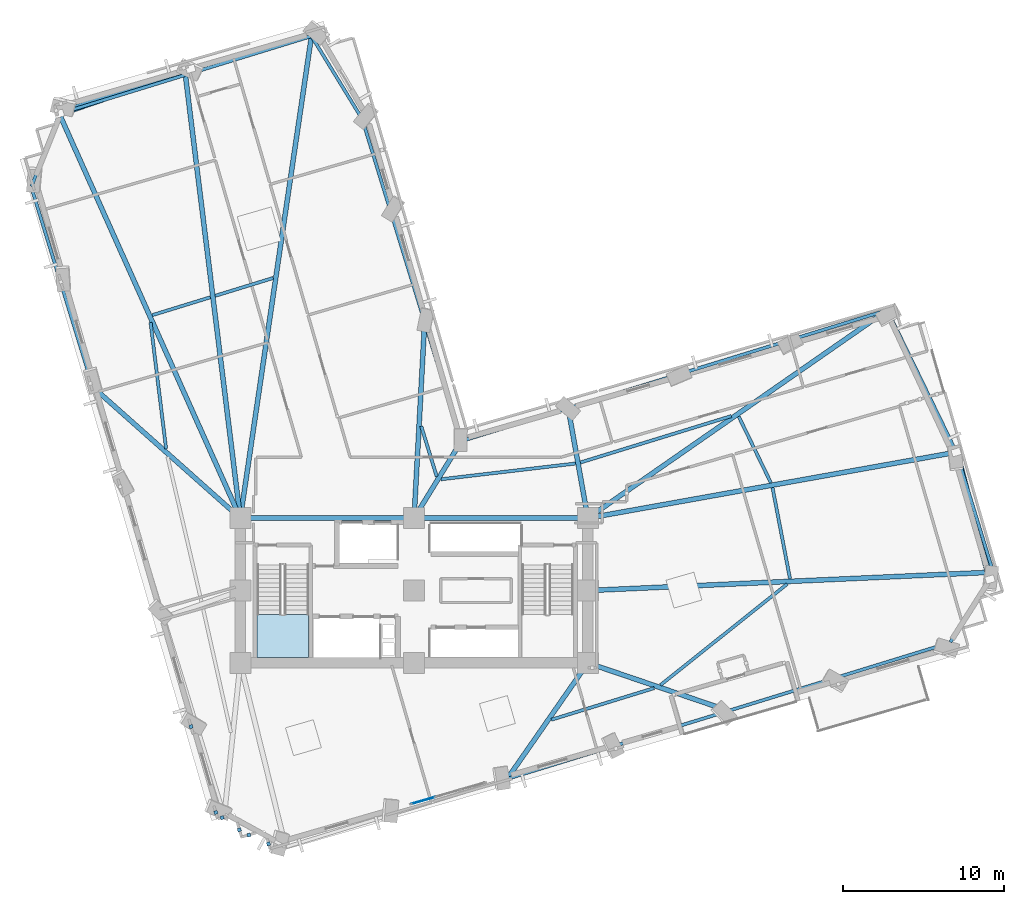
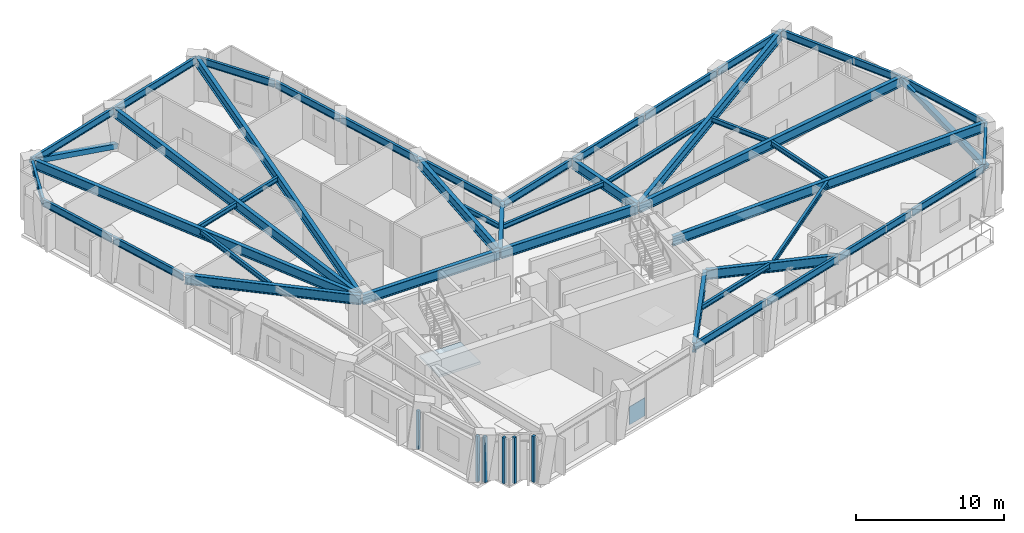
# One storey, part 3 of 15: 44 beams, 7 plates, 2 members, 1 slab, 2 elements without a shape of their own.
"""IFC4 building model written with IfcOpenShell, lengths in metres."""

from ifc_helpers import new_model, si_unit, direction, frame, origin, origin_2d, place, context, subcontext, project, spatial, polyline, rectangle, hollow_rectangle, i_section, outline, extrude, material, layer, layer_set, material_profile, profile_set, type_object, element, aggregate, save


model = new_model("IFC4")

# Units and contexts
model_context = context("Model", 3, precision=1e-05, world=origin(), true_north=direction((0.0, 1.0)))
body_context = subcontext(model_context, "Body", "Model", "MODEL_VIEW")
ifc_project = project(units=[si_unit("LENGTHUNIT", "METRE"), si_unit("AREAUNIT", "SQUARE_METRE"), si_unit("VOLUMEUNIT", "CUBIC_METRE"), si_unit("PLANEANGLEUNIT", "RADIAN"), si_unit("MASSUNIT", "GRAM", prefix="KILO")], contexts=[model_context])

# Site, building, storey
site_placement = place(None, origin())
site = spatial("IfcSite", under=ifc_project, at=site_placement, CompositionType="ELEMENT")
building_placement = place(site_placement, origin())
building = spatial("IfcBuilding", under=site, at=building_placement, Name="Gaonmaruhae Medical Tower", CompositionType="ELEMENT")
storey_placement = place(building_placement, frame((0.0, 0.0, 92.39990234375)))
storey = spatial("IfcBuildingStorey", under=building, at=storey_placement, Name="L21", CompositionType="ELEMENT", Elevation=92.39990234375)

# Beams
ifc_material_1 = material(Name="Steel SM355", Category="steel")
ifc_material_profile_1 = material_profile(ifc_material_1, i_section(OverallWidth=0.199951171875, OverallDepth=0.39990234375, WebThickness=0.008056640625, FlangeThickness=0.012939453125, FilletRadius=0.012939453125, at=origin_2d()), Name="H-400x200x8x13")
ifc_profile_set_1 = profile_set([ifc_material_profile_1], Name="Steel SM355")
beam_type_1 = type_object("IfcBeamType", Name="FJ-01 Lower Zone Ward Floor Joist (H-400x200x8x13)", PredefinedType="JOIST", material=ifc_profile_set_1)
beam_1_placement = place(storey_placement, frame((33.33056640625, 4.27001953125, 3.580078125), z_axis=(0.955801892623, 0.294011465863, 0.0), x_axis=(-0.294011465863, 0.955801892623, 0.0)))
element("IfcBeam", 1, at=beam_1_placement, inside=storey, type_object=beam_type_1, Name="L21 Secondary Floor Joist FJ02", PredefinedType="JOIST", context=body_context, shape_type="SweptSolid", body=[
    extrude(i_section(OverallWidth=0.199951171875, OverallDepth=0.39990234375, WebThickness=0.008056640625, FlangeThickness=0.012939453125, FilletRadius=0.012939453125, at=origin_2d()), origin(), (0.0, 0.0, 1.0), 6.688720703125),
])
beam_2_placement = place(storey_placement, frame((40.117919921875, 6.428466796875, 3.580078125), z_axis=(0.78176668575, 0.623571045713, 0.0), x_axis=(-0.623571045713, 0.78176668575, 0.0)))
element("IfcBeam", 2, at=beam_2_placement, inside=storey, type_object=beam_type_1, Name="L21 Secondary Floor Joist FJ03", PredefinedType="JOIST", context=body_context, shape_type="SweptSolid", body=[
    extrude(i_section(OverallWidth=0.199951171875, OverallDepth=0.39990234375, WebThickness=0.008056640625, FlangeThickness=0.012939453125, FilletRadius=0.012939453125, at=origin_2d()), origin(), (0.0, 0.0, 1.0), 10.071533203125),
])
beam_3_placement = place(storey_placement, frame((48.166015625, 13.0263671875, 3.580078125), z_axis=(-0.188400346647, 0.982092312048, 0.0), x_axis=(-0.982092312048, -0.188400346647, 0.0)))
element("IfcBeam", 3, at=beam_3_placement, inside=storey, type_object=beam_type_1, Name="L21 Secondary Floor Joist FJ04", PredefinedType="JOIST", context=body_context, shape_type="SweptSolid", body=[
    extrude(i_section(OverallWidth=0.199951171875, OverallDepth=0.39990234375, WebThickness=0.008056640625, FlangeThickness=0.012939453125, FilletRadius=0.012939453125, at=origin_2d()), origin(), (0.0, 0.0, 1.0), 5.77294921875),
])
beam_4_placement = place(storey_placement, frame((46.978271484375, 18.994873046875, 3.580078125), z_axis=(-0.436667756857, 0.899622848821, 0.0), x_axis=(-0.899622848821, -0.436667756857, 0.0)))
element("IfcBeam", 4, at=beam_4_placement, inside=storey, type_object=beam_type_1, Name="L21 Secondary Floor Joist FJ05", PredefinedType="JOIST", context=body_context, shape_type="SweptSolid", body=[
    extrude(i_section(OverallWidth=0.199951171875, OverallDepth=0.39990234375, WebThickness=0.008056640625, FlangeThickness=0.012939453125, FilletRadius=0.012939453125, at=origin_2d()), origin(), (0.0, 0.0, 1.0), 4.587890625),
])
beam_5_placement = place(storey_placement, frame((44.52294921875, 23.146484375, 3.580078125), z_axis=(-0.955789762239, -0.294050897633, 0.0), x_axis=(0.294050897633, -0.955789762239, 0.0)))
element("IfcBeam", 5, at=beam_5_placement, inside=storey, type_object=beam_type_1, Name="L21 Secondary Floor Joist FJ06", PredefinedType="JOIST", context=body_context, shape_type="SweptSolid", body=[
    extrude(i_section(OverallWidth=0.199951171875, OverallDepth=0.39990234375, WebThickness=0.008056640625, FlangeThickness=0.012939453125, FilletRadius=0.012939453125, at=origin_2d()), origin(), (0.0, 0.0, 1.0), 9.817138671875),
])
beam_6_placement = place(storey_placement, frame((34.83447265625, 20.195556640625, 3.580078125), z_axis=(-0.993206449623, -0.116365580941, 0.0), x_axis=(0.116365580941, -0.993206449623, 0.0)))
element("IfcBeam", 6, at=beam_6_placement, inside=storey, type_object=beam_type_1, Name="L21 Secondary Floor Joist FJ07", PredefinedType="JOIST", context=body_context, shape_type="SweptSolid", body=[
    extrude(i_section(OverallWidth=0.199951171875, OverallDepth=0.39990234375, WebThickness=0.008056640625, FlangeThickness=0.012939453125, FilletRadius=0.012939453125, at=origin_2d()), origin(), (0.0, 0.0, 1.0), 8.427978515625),
])
beam_7_placement = place(storey_placement, frame((26.207763671875, 19.388671875, 3.580078125), z_axis=(-0.294091097972, 0.955777393588, 0.0), x_axis=(-0.955777393588, -0.294091097972, 0.0)))
element("IfcBeam", 7, at=beam_7_placement, inside=storey, type_object=beam_type_1, Name="L21 Secondary Floor Joist FJ08", PredefinedType="JOIST", context=body_context, shape_type="SweptSolid", body=[
    extrude(i_section(OverallWidth=0.199951171875, OverallDepth=0.39990234375, WebThickness=0.008056640625, FlangeThickness=0.012939453125, FilletRadius=0.012939453125, at=origin_2d()), origin(), (0.0, 0.0, 1.0), 3.268310546875),
])
beam_8_placement = place(storey_placement, frame((16.046630859375, 31.728271484375, 3.580078125), z_axis=(-0.955790211245, -0.294049438169, 0.0), x_axis=(0.294049438169, -0.955790211245, 0.0)))
element("IfcBeam", 8, at=beam_8_placement, inside=storey, type_object=beam_type_1, Name="L21 Secondary Floor Joist FJ10", PredefinedType="JOIST", context=body_context, shape_type="SweptSolid", body=[
    extrude(i_section(OverallWidth=0.199951171875, OverallDepth=0.39990234375, WebThickness=0.008056640625, FlangeThickness=0.012939453125, FilletRadius=0.012939453125, at=origin_2d()), origin(), (0.0, 0.0, 1.0), 3.76953125),
])
beam_9_placement = place(storey_placement, frame((12.14111328125, 30.52685546875, 3.580078125), z_axis=(-0.955792955942, -0.294040516548, 0.0), x_axis=(0.294040516548, -0.955792955942, 0.0)))
element("IfcBeam", 9, at=beam_9_placement, inside=storey, type_object=beam_type_1, Name="L21 Secondary Floor Joist FJ11", PredefinedType="JOIST", context=body_context, shape_type="SweptSolid", body=[
    extrude(i_section(OverallWidth=0.199951171875, OverallDepth=0.39990234375, WebThickness=0.008056640625, FlangeThickness=0.012939453125, FilletRadius=0.012939453125, at=origin_2d()), origin(), (0.0, 0.0, 1.0), 3.784423828125),
])
beam_10_placement = place(storey_placement, frame((8.422607421875, 28.97021484375, 3.580078125), z_axis=(0.121948812165, -0.992536390875, 0.0), x_axis=(0.992536390875, 0.121948812165, 0.0)))
element("IfcBeam", 10, at=beam_10_placement, inside=storey, type_object=beam_type_1, Name="L21 Secondary Floor Joist FJ12", PredefinedType="JOIST", context=body_context, shape_type="SweptSolid", body=[
    extrude(i_section(OverallWidth=0.199951171875, OverallDepth=0.39990234375, WebThickness=0.008056640625, FlangeThickness=0.012939453125, FilletRadius=0.012939453125, at=origin_2d()), origin(), (0.0, 0.0, 1.0), 7.923828125),
])

# Members
ifc_material_2 = material(Name="Steel SM420", Category="steel")
ifc_material_profile_2 = material_profile(ifc_material_2, hollow_rectangle(XDim=0.39990234375, YDim=0.39990234375, WallThickness=0.01611328125, at=origin_2d()), Name="RHS-400x400x16")
ifc_profile_set_2 = profile_set([ifc_material_profile_2], Name="Steel SM420")
member_type = type_object("IfcMemberType", Name="PB-01 Perimeter Solid-Bay Tube Brace Lower (RHS-400x400x16)", PredefinedType="BRACE", material=ifc_profile_set_2)
member_1_placement = place(storey_placement, frame((60.599365234375, 12.994140625, 0.25), z_axis=(-0.23848606392, 0.89698243558, 0.372218897394), x_axis=(-0.966424923782, -0.256949151962, 0.0)))
element("IfcMember", 11, at=member_1_placement, inside=storey, type_object=member_type, Name="L21 Perimeter Tube Solid-Bay Brace E01-E02", PredefinedType="BRACE", context=body_context, shape_type="SweptSolid", body=[
    extrude(hollow_rectangle(XDim=0.39990234375, YDim=0.39990234375, WallThickness=0.01611328125, at=origin_2d()), origin(), (0.0, 0.0, 1.0), 8.81201171875),
])
member_2_placement = place(storey_placement, frame((10.912353515625, 44.7255859375, 0.25), z_axis=(-0.884521081307, -0.302254789259, 0.355337162556), x_axis=(0.323357694744, -0.946276810056, 0.0)))
element("IfcMember", 12, at=member_2_placement, inside=storey, type_object=member_type, Name="L21 Perimeter Tube Solid-Bay Brace N02-N03", PredefinedType="BRACE", context=body_context, shape_type="SweptSolid", body=[
    extrude(hollow_rectangle(XDim=0.39990234375, YDim=0.39990234375, WallThickness=0.01611328125, at=origin_2d()), origin(), (0.0, 0.0, 1.0), 9.230712890625),
])

# Beams
ifc_material_profile_3 = material_profile(ifc_material_2, i_section(OverallWidth=0.300048828125, OverallDepth=0.800048828125, WebThickness=0.013916015625, FlangeThickness=0.02587890625, FilletRadius=0.01806640625, at=origin_2d()), Name="H-800x300x14x26")
ifc_profile_set_3 = profile_set([ifc_material_profile_3], Name="Steel SM420")
beam_type_2 = type_object("IfcBeamType", Name="PG-02 Zone 2 Radial Floor Girder (H-800x300x14x26)", PredefinedType="BEAM", material=ifc_profile_set_3)
for number, where, z_axis, x_axis, name in (
    (13, (14.050048828125, 16.800048828125, 3.380126953125), (1.0, 0.0, 0.0), (0.0, 1.0, 0.0), "L21 Beam BM-L21-CG-N1"),
    (14, (24.85009765625, 16.800048828125, 3.380126953125), (1.0, 0.0, 0.0), (0.0, 1.0, 0.0), "L21 Beam BM-L21-CG-N2"),
):
    element("IfcBeam", number, at=place(storey_placement, frame(where, z_axis=z_axis, x_axis=x_axis)), inside=storey, type_object=beam_type_2, Name=name, PredefinedType="BEAM", context=body_context, shape_type="SweptSolid", body=[
        extrude(i_section(OverallWidth=0.300048828125, OverallDepth=0.800048828125, WebThickness=0.013916015625, FlangeThickness=0.02587890625, FilletRadius=0.01806640625, at=origin_2d()), origin(), (0.0, 0.0, 1.0), 10.699951171875),
    ])
beam_11_placement = place(storey_placement, frame((35.571533203125, 7.759033203125, 3.380126953125), z_axis=(-0.571230937016, -0.820789386259, 0.0), x_axis=(0.820789386259, -0.571230937016, 0.0)))
element("IfcBeam", 15, at=beam_11_placement, inside=storey, type_object=beam_type_2, Name="L21 Radial Primary Girder S03", PredefinedType="BEAM", context=body_context, shape_type="SweptSolid", body=[
    extrude(i_section(OverallWidth=0.300048828125, OverallDepth=0.800048828125, WebThickness=0.013916015625, FlangeThickness=0.02587890625, FilletRadius=0.01806640625, at=origin_2d()), origin(), (0.0, 0.0, 1.0), 8.680419921875),
])
beam_12_placement = place(storey_placement, frame((35.6474609375, 7.783935546875, 3.360107421875), z_axis=(0.94682662902, -0.321744206752, 0.0), x_axis=(0.321744206752, 0.94682662902, 0.0)))
element("IfcBeam", 16, at=beam_12_placement, inside=storey, type_object=beam_type_2, Name="L21 Radial Primary Girder S05", PredefinedType="BEAM", context=body_context, shape_type="SweptSolid", body=[
    extrude(i_section(OverallWidth=0.300048828125, OverallDepth=0.800048828125, WebThickness=0.013916015625, FlangeThickness=0.02587890625, FilletRadius=0.01806640625, at=origin_2d()), origin(), (0.0, 0.0, 1.0), 9.138916015625),
])
beam_13_placement = place(storey_placement, frame((35.64990234375, 12.30224609375, 3.380126953125), z_axis=(0.998971444139, 0.045343729379, 0.0), x_axis=(-0.045343729379, 0.998971444139, 0.0)))
element("IfcBeam", 17, at=beam_13_placement, inside=storey, type_object=beam_type_2, Name="L21 Radial Primary Girder E01", PredefinedType="BEAM", context=body_context, shape_type="SweptSolid", body=[
    extrude(i_section(OverallWidth=0.300048828125, OverallDepth=0.800048828125, WebThickness=0.013916015625, FlangeThickness=0.02587890625, FilletRadius=0.01806640625, at=origin_2d()), origin(), (0.0, 0.0, 1.0), 25.117431640625),
])
beam_14_placement = place(storey_placement, frame((35.649169921875, 16.808837890625, 3.380126953125), z_axis=(0.984356812543, 0.176186451237, 0.0), x_axis=(-0.176186451237, 0.984356812543, 0.0)))
element("IfcBeam", 18, at=beam_14_placement, inside=storey, type_object=beam_type_2, Name="L21 Radial Primary Girder E02", PredefinedType="BEAM", context=body_context, shape_type="SweptSolid", body=[
    extrude(i_section(OverallWidth=0.300048828125, OverallDepth=0.800048828125, WebThickness=0.013916015625, FlangeThickness=0.02587890625, FilletRadius=0.01806640625, at=origin_2d()), origin(), (0.0, 0.0, 1.0), 23.161865234375),
])
beam_15_placement = place(storey_placement, frame((35.64111328125, 16.82861328125, 3.380126953125), z_axis=(0.821293630992, 0.570505715739, 0.0), x_axis=(-0.570505715739, 0.821293630992, 0.0)))
element("IfcBeam", 19, at=beam_15_placement, inside=storey, type_object=beam_type_2, Name="L21 Radial Primary Girder E03", PredefinedType="BEAM", context=body_context, shape_type="SweptSolid", body=[
    extrude(i_section(OverallWidth=0.300048828125, OverallDepth=0.800048828125, WebThickness=0.013916015625, FlangeThickness=0.02587890625, FilletRadius=0.01806640625, at=origin_2d()), origin(), (0.0, 0.0, 1.0), 22.561767578125),
])
beam_16_placement = place(storey_placement, frame((35.59130859375, 16.84912109375, 3.380126953125), z_axis=(-0.176005721626, 0.984389143558, 0.0), x_axis=(-0.984389143558, -0.176005721626, 0.0)))
element("IfcBeam", 20, at=beam_16_placement, inside=storey, type_object=beam_type_2, Name="L21 Radial Primary Girder EN03", PredefinedType="BEAM", context=body_context, shape_type="SweptSolid", body=[
    extrude(i_section(OverallWidth=0.300048828125, OverallDepth=0.800048828125, WebThickness=0.013916015625, FlangeThickness=0.02587890625, FilletRadius=0.01806640625, at=origin_2d()), origin(), (0.0, 0.0, 1.0), 6.835693359375),
])
beam_17_placement = place(storey_placement, frame((24.826171875, 16.842529296875, 3.380126953125), z_axis=(0.523163169565, 0.852232537522, 0.0), x_axis=(-0.852232537522, 0.523163169565, 0.0)))
element("IfcBeam", 21, at=beam_17_placement, inside=storey, type_object=beam_type_2, Name="L21 Radial Primary Girder KN01", PredefinedType="BEAM", context=body_context, shape_type="SweptSolid", body=[
    extrude(i_section(OverallWidth=0.300048828125, OverallDepth=0.800048828125, WebThickness=0.013916015625, FlangeThickness=0.02587890625, FilletRadius=0.01806640625, at=origin_2d()), origin(), (0.0, 0.0, 1.0), 5.51318359375),
])
beam_18_placement = place(storey_placement, frame((24.802734375, 16.849853515625, 3.380126953125), z_axis=(0.053873110963, 0.9985477895, 0.0), x_axis=(-0.9985477895, 0.053873110963, 0.0)))
element("IfcBeam", 22, at=beam_18_placement, inside=storey, type_object=beam_type_2, Name="L21 Radial Primary Girder NE01", PredefinedType="BEAM", context=body_context, shape_type="SweptSolid", body=[
    extrude(i_section(OverallWidth=0.300048828125, OverallDepth=0.800048828125, WebThickness=0.013916015625, FlangeThickness=0.02587890625, FilletRadius=0.01806640625, at=origin_2d()), origin(), (0.0, 0.0, 1.0), 12.10888671875),
])
beam_19_placement = place(storey_placement, frame((14.00732421875, 16.849365234375, 3.380126953125), z_axis=(0.146042373034, 0.989278335595, 0.0), x_axis=(-0.989278335595, 0.146042373034, 0.0)))
element("IfcBeam", 23, at=beam_19_placement, inside=storey, type_object=beam_type_2, Name="L21 Radial Primary Girder N01", PredefinedType="BEAM", context=body_context, shape_type="SweptSolid", body=[
    extrude(i_section(OverallWidth=0.300048828125, OverallDepth=0.800048828125, WebThickness=0.013916015625, FlangeThickness=0.02587890625, FilletRadius=0.01806640625, at=origin_2d()), origin(), (0.0, 0.0, 1.0), 30.182861328125),
])
beam_20_placement = place(storey_placement, frame((13.993896484375, 16.849609375, 3.380126953125), z_axis=(-0.123025376299, 0.992403525178, 0.0), x_axis=(-0.992403525178, -0.123025376299, 0.0)))
element("IfcBeam", 24, at=beam_20_placement, inside=storey, type_object=beam_type_2, Name="L21 Radial Primary Girder N02", PredefinedType="BEAM", context=body_context, shape_type="SweptSolid", body=[
    extrude(i_section(OverallWidth=0.300048828125, OverallDepth=0.800048828125, WebThickness=0.013916015625, FlangeThickness=0.02587890625, FilletRadius=0.01806640625, at=origin_2d()), origin(), (0.0, 0.0, 1.0), 27.65771484375),
])
beam_21_placement = place(storey_placement, frame((13.9794921875, 16.845703125, 3.380126953125), z_axis=(-0.408592166871, 0.912717065235, 0.0), x_axis=(-0.912717065235, -0.408592166871, 0.0)))
element("IfcBeam", 25, at=beam_21_placement, inside=storey, type_object=beam_type_2, Name="L21 Radial Primary Girder N03", PredefinedType="BEAM", context=body_context, shape_type="SweptSolid", body=[
    extrude(i_section(OverallWidth=0.300048828125, OverallDepth=0.800048828125, WebThickness=0.013916015625, FlangeThickness=0.02587890625, FilletRadius=0.01806640625, at=origin_2d()), origin(), (0.0, 0.0, 1.0), 27.439208984375),
])
beam_22_placement = place(storey_placement, frame((13.962646484375, 16.833251953125, 3.380126953125), z_axis=(-0.747347302659, 0.664433600301, 0.0), x_axis=(-0.664433600301, -0.747347302659, 0.0)))
element("IfcBeam", 26, at=beam_22_placement, inside=storey, type_object=beam_type_2, Name="L21 Radial Primary Girder W03", PredefinedType="BEAM", context=body_context, shape_type="SweptSolid", body=[
    extrude(i_section(OverallWidth=0.300048828125, OverallDepth=0.800048828125, WebThickness=0.013916015625, FlangeThickness=0.02587890625, FilletRadius=0.01806640625, at=origin_2d()), origin(), (0.0, 0.0, 1.0), 12.163818359375),
])
ifc_material_profile_4 = material_profile(ifc_material_1, i_section(OverallWidth=0.199951171875, OverallDepth=0.60009765625, WebThickness=0.010986328125, FlangeThickness=0.01708984375, FilletRadius=0.012939453125, at=origin_2d()), Name="H-600x200x11x17")
ifc_profile_set_4 = profile_set([ifc_material_profile_4], Name="Steel SM355")
beam_type_3 = type_object("IfcBeamType", Name="SP-01 Lower Perimeter Spandrel Beam (H-600x200x11x17)", PredefinedType="SPANDREL", material=ifc_profile_set_4)
for number, where, z_axis, x_axis, name in (
    (27, (30.622802734375, 0.60498046875, 3.47998046875), (0.955794576816, 0.294035247765, 0.0), (-0.294035247765, 0.955794576816, 0.0), "L21 Perimeter Spandrel Beam S03-S04"),
    (28, (37.50439453125, 2.72216796875, 3.460205078125), (0.955794576816, 0.294035247765, 0.0), (-0.294035247765, 0.955794576816, 0.0), "L21 Perimeter Spandrel Beam S04-S05"),
    (29, (44.38623046875, 4.839111328125, 3.460205078125), (0.955794576816, 0.294035247765, 0.0), (-0.294035247765, 0.955794576816, 0.0), "L21 Perimeter Spandrel Beam S05-S06"),
    (30, (51.267822265625, 6.956298828125, 3.47998046875), (0.955794576816, 0.294035247765, 0.0), (-0.294035247765, 0.955794576816, 0.0), "L21 Perimeter Spandrel Beam S06-S07"),
):
    element("IfcBeam", number, at=place(storey_placement, frame(where, z_axis=z_axis, x_axis=x_axis)), inside=storey, type_object=beam_type_3, Name=name, PredefinedType="SPANDREL", context=body_context, shape_type="SweptSolid", body=[
        extrude(i_section(OverallWidth=0.199951171875, OverallDepth=0.60009765625, WebThickness=0.010986328125, FlangeThickness=0.01708984375, FilletRadius=0.012939453125, at=origin_2d()), origin(), (0.0, 0.0, 1.0), 7.119873046875),
    ])
beam_23_placement = place(storey_placement, frame((58.132080078125, 9.095703125, 3.47998046875), z_axis=(0.521797605926, 0.853069316322, 0.0), x_axis=(-0.853069316322, 0.521797605926, 0.0)))
element("IfcBeam", 31, at=beam_23_placement, inside=storey, type_object=beam_type_3, Name="L21 Perimeter Spandrel Beam S07-E01", PredefinedType="SPANDREL", context=body_context, shape_type="SweptSolid", body=[
    extrude(i_section(OverallWidth=0.199951171875, OverallDepth=0.60009765625, WebThickness=0.010986328125, FlangeThickness=0.01708984375, FilletRadius=0.012939453125, at=origin_2d()), origin(), (0.0, 0.0, 1.0), 5.056396484375),
])
beam_24_placement = place(storey_placement, frame((60.779541015625, 13.4814453125, 3.47998046875), z_axis=(-0.294036959956, 0.955794050086, 0.0), x_axis=(-0.955794050086, -0.294036959956, 0.0)))
element("IfcBeam", 32, at=beam_24_placement, inside=storey, type_object=beam_type_3, Name="L21 Perimeter Spandrel Beam E01-E02", PredefinedType="SPANDREL", context=body_context, shape_type="SweptSolid", body=[
    extrude(i_section(OverallWidth=0.199951171875, OverallDepth=0.60009765625, WebThickness=0.010986328125, FlangeThickness=0.01708984375, FilletRadius=0.012939453125, at=origin_2d()), origin(), (0.0, 0.0, 1.0), 7.72021484375),
])
beam_25_placement = place(storey_placement, frame((58.48046875, 20.9345703125, 3.47998046875), z_axis=(-0.43665987413, 0.899626674974, 0.0), x_axis=(-0.899626674974, -0.43665987413, 0.0)))
element("IfcBeam", 33, at=beam_25_placement, inside=storey, type_object=beam_type_3, Name="L21 Perimeter Spandrel Beam E02-E03", PredefinedType="SPANDREL", context=body_context, shape_type="SweptSolid", body=[
    extrude(i_section(OverallWidth=0.199951171875, OverallDepth=0.60009765625, WebThickness=0.010986328125, FlangeThickness=0.01708984375, FilletRadius=0.012939453125, at=origin_2d()), origin(), (0.0, 0.0, 1.0), 9.735107421875),
])
beam_26_placement = place(storey_placement, frame((54.173828125, 29.716796875, 3.47998046875), z_axis=(-0.955800053599, -0.294017444279, 0.0), x_axis=(0.294017444279, -0.955800053599, 0.0)))
element("IfcBeam", 34, at=beam_26_placement, inside=storey, type_object=beam_type_3, Name="L21 Perimeter Spandrel Beam E03-EN01", PredefinedType="SPANDREL", context=body_context, shape_type="SweptSolid", body=[
    extrude(i_section(OverallWidth=0.199951171875, OverallDepth=0.60009765625, WebThickness=0.010986328125, FlangeThickness=0.01708984375, FilletRadius=0.012939453125, at=origin_2d()), origin(), (0.0, 0.0, 1.0), 6.27001953125),
])
for number, where, z_axis, x_axis, name in (
    (35, (48.1044921875, 27.849609375, 3.47998046875), (-0.955794576816, -0.294035247765, 0.0), (0.294035247765, -0.955794576816, 0.0), "L21 Perimeter Spandrel Beam EN01-EN02"),
    (36, (41.22265625, 25.732666015625, 3.47998046875), (-0.955794576816, -0.294035247765, 0.0), (0.294035247765, -0.955794576816, 0.0), "L21 Perimeter Spandrel Beam EN02-EN03"),
):
    element("IfcBeam", number, at=place(storey_placement, frame(where, z_axis=z_axis, x_axis=x_axis)), inside=storey, type_object=beam_type_3, Name=name, PredefinedType="SPANDREL", context=body_context, shape_type="SweptSolid", body=[
        extrude(i_section(OverallWidth=0.199951171875, OverallDepth=0.60009765625, WebThickness=0.010986328125, FlangeThickness=0.01708984375, FilletRadius=0.012939453125, at=origin_2d()), origin(), (0.0, 0.0, 1.0), 7.119873046875),
    ])
beam_27_placement = place(storey_placement, frame((34.341064453125, 23.615478515625, 3.47998046875), z_axis=(-0.955795911101, -0.294030910487, 0.0), x_axis=(0.294030910487, -0.955795911101, 0.0)))
element("IfcBeam", 37, at=beam_27_placement, inside=storey, type_object=beam_type_3, Name="L21 Perimeter Spandrel Beam EN03-KN01", PredefinedType="SPANDREL", context=body_context, shape_type="SweptSolid", body=[
    extrude(i_section(OverallWidth=0.199951171875, OverallDepth=0.60009765625, WebThickness=0.010986328125, FlangeThickness=0.01708984375, FilletRadius=0.012939453125, at=origin_2d()), origin(), (0.0, 0.0, 1.0), 6.8701171875),
])
beam_28_placement = place(storey_placement, frame((27.724853515625, 21.621826171875, 3.47998046875), z_axis=(-0.294045587921, 0.955791395768, 0.0), x_axis=(-0.955791395768, -0.294045587921, 0.0)))
element("IfcBeam", 38, at=beam_28_placement, inside=storey, type_object=beam_type_3, Name="L21 Perimeter Spandrel Beam KN01-NE01", PredefinedType="SPANDREL", context=body_context, shape_type="SweptSolid", body=[
    extrude(i_section(OverallWidth=0.199951171875, OverallDepth=0.60009765625, WebThickness=0.010986328125, FlangeThickness=0.01708984375, FilletRadius=0.012939453125, at=origin_2d()), origin(), (0.0, 0.0, 1.0), 7.670166015625),
])
beam_29_placement = place(storey_placement, frame((25.446044921875, 29.029296875, 3.47998046875), z_axis=(-0.29406657253, 0.955784939681, 0.0), x_axis=(-0.955784939681, -0.29406657253, 0.0)))
element("IfcBeam", 39, at=beam_29_placement, inside=storey, type_object=beam_type_3, Name="L21 Perimeter Spandrel Beam NE01-NE02", PredefinedType="SPANDREL", context=body_context, shape_type="SweptSolid", body=[
    extrude(i_section(OverallWidth=0.199951171875, OverallDepth=0.60009765625, WebThickness=0.010986328125, FlangeThickness=0.01708984375, FilletRadius=0.012939453125, at=origin_2d()), origin(), (0.0, 0.0, 1.0), 7.119873046875),
])
beam_30_placement = place(storey_placement, frame((23.328857421875, 35.9111328125, 3.47998046875), z_axis=(-0.294045276767, 0.955791491493, 0.0), x_axis=(-0.955791491493, -0.294045276767, 0.0)))
element("IfcBeam", 40, at=beam_30_placement, inside=storey, type_object=beam_type_3, Name="L21 Perimeter Spandrel Beam NE02-NE03", PredefinedType="SPANDREL", context=body_context, shape_type="SweptSolid", body=[
    extrude(i_section(OverallWidth=0.199951171875, OverallDepth=0.60009765625, WebThickness=0.010986328125, FlangeThickness=0.01708984375, FilletRadius=0.012939453125, at=origin_2d()), origin(), (0.0, 0.0, 1.0), 5.919921875),
])
beam_31_placement = place(storey_placement, frame((21.555419921875, 41.6416015625, 3.47998046875), z_axis=(-0.522210413496, 0.852816676688, 0.0), x_axis=(-0.852816676688, -0.522210413496, 0.0)))
element("IfcBeam", 41, at=beam_31_placement, inside=storey, type_object=beam_type_3, Name="L21 Perimeter Spandrel Beam NE03-N01", PredefinedType="SPANDREL", context=body_context, shape_type="SweptSolid", body=[
    extrude(i_section(OverallWidth=0.199951171875, OverallDepth=0.60009765625, WebThickness=0.010986328125, FlangeThickness=0.01708984375, FilletRadius=0.012939453125, at=origin_2d()), origin(), (0.0, 0.0, 1.0), 5.95947265625),
])
for number, where, z_axis, x_axis, name in (
    (42, (18.38427734375, 46.74609375, 3.47998046875), (-0.95579785954, -0.294024576691, 0.0), (0.294024576691, -0.95579785954, 0.0), "L21 Perimeter Spandrel Beam N01-N02"),
    (43, (10.546875, 44.3349609375, 3.47998046875), (-0.95579785954, -0.294024576691, 0.0), (0.294024576691, -0.95579785954, 0.0), "L21 Perimeter Spandrel Beam N02-N03"),
):
    element("IfcBeam", number, at=place(storey_placement, frame(where, z_axis=z_axis, x_axis=x_axis)), inside=storey, type_object=beam_type_3, Name=name, PredefinedType="SPANDREL", context=body_context, shape_type="SweptSolid", body=[
        extrude(i_section(OverallWidth=0.199951171875, OverallDepth=0.60009765625, WebThickness=0.010986328125, FlangeThickness=0.01708984375, FilletRadius=0.012939453125, at=origin_2d()), origin(), (0.0, 0.0, 1.0), 8.119873046875),
    ])
beam_32_placement = place(storey_placement, frame((2.7333984375, 41.898193359375, 3.47998046875), z_axis=(-0.355572345571, -0.934648761335, 0.0), x_axis=(0.934648761335, -0.355572345571, 0.0)))
element("IfcBeam", 44, at=beam_32_placement, inside=storey, type_object=beam_type_3, Name="L21 Perimeter Spandrel Beam N03-W01", PredefinedType="SPANDREL", context=body_context, shape_type="SweptSolid", body=[
    extrude(i_section(OverallWidth=0.199951171875, OverallDepth=0.60009765625, WebThickness=0.010986328125, FlangeThickness=0.01708984375, FilletRadius=0.012939453125, at=origin_2d()), origin(), (0.0, 0.0, 1.0), 4.80078125),
])
beam_33_placement = place(storey_placement, frame((1.02392578125, 37.33544921875, 3.47998046875), z_axis=(0.29405327399, -0.955789031144, 0.0), x_axis=(0.955789031144, 0.29405327399, 0.0)))
element("IfcBeam", 45, at=beam_33_placement, inside=storey, type_object=beam_type_3, Name="L21 Perimeter Spandrel Beam W01-W02", PredefinedType="SPANDREL", context=body_context, shape_type="SweptSolid", body=[
    extrude(i_section(OverallWidth=0.199951171875, OverallDepth=0.60009765625, WebThickness=0.010986328125, FlangeThickness=0.01708984375, FilletRadius=0.012939453125, at=origin_2d()), origin(), (0.0, 0.0, 1.0), 6.31982421875),
])
beam_34_placement = place(storey_placement, frame((2.90576171875, 31.218505859375, 3.47998046875), z_axis=(0.294046380768, -0.955791151851, 0.0), x_axis=(0.955791151851, 0.294046380768, 0.0)))
element("IfcBeam", 46, at=beam_34_placement, inside=storey, type_object=beam_type_3, Name="L21 Perimeter Spandrel Beam W02-W03", PredefinedType="SPANDREL", context=body_context, shape_type="SweptSolid", body=[
    extrude(i_section(OverallWidth=0.199951171875, OverallDepth=0.60009765625, WebThickness=0.010986328125, FlangeThickness=0.01708984375, FilletRadius=0.012939453125, at=origin_2d()), origin(), (0.0, 0.0, 1.0), 6.520263671875),
])

# Curtain wall, plate
ifc_material_3 = material(Name="Anodised aluminium and Low-E double glazing", Category="aluminium")
curtain_wall_type = type_object("IfcCurtainWallType", Name="CW-S3 Spiralling Dayroom Ribbon Curtain Wall", PredefinedType="NOTDEFINED", material=ifc_material_3)
curtain_wall_placement = place(storey_placement, origin())
curtain_wall = element("IfcCurtainWall", 47, at=curtain_wall_placement, inside=storey, type_object=curtain_wall_type, Name="L21 Curtain Wall CW-L21-S02", PredefinedType="NOTDEFINED")
ifc_material_4 = material(Name="Insulated fritted spandrel glass", Category="glass")
ifc_layer_1 = layer(ifc_material_4, 0.0439453125)
ifc_layer_set_1 = layer_set([ifc_layer_1], Name="Insulated fritted spandrel glass")
plate_type_1 = type_object("IfcPlateType", Name="CWP-S1 Insulated Fritted Spandrel Panel", PredefinedType="CURTAIN_PANEL", material=ifc_layer_set_1)
plate_1_placement = place(storey_placement, frame((25.367431640625, -0.748046875, 0.06494140625), z_axis=(0.0, 0.0, 1.0), x_axis=(-0.960540580971, -0.278139879032, 0.0)))
plate_1 = element("IfcPlate", 48, at=plate_1_placement, type_object=plate_type_1, Name="CW-S3 panel 3.1", PredefinedType="CURTAIN_PANEL", context=body_context, shape_type="SweptSolid", body=[
    extrude(rectangle(XDim=1.51513671875, YDim=0.0439453125, at=origin_2d()), origin(), (0.0, 0.0, 1.0), 1.485107421875),
])
aggregate(curtain_wall, [plate_1])

# Plates
ifc_material_5 = material(Name="Anodised aluminium 6063-T6", Category="aluminium")
ifc_layer_2 = layer(ifc_material_5, 0.011962890625)
ifc_layer_set_2 = layer_set([ifc_layer_2], Name="Anodised aluminium 6063-T6")
plate_type_2 = type_object("IfcPlateType", Name="PP-01 Interior Partition Corner Stiffener Plate", PredefinedType="SHEET", material=ifc_layer_set_2)
for number, where, z_axis, x_axis, name in (
    (49, (15.75, -3.43994140625, 0.0), (0.0, 0.0, 1.0), (-0.278437970337, 0.960454213731, 0.0), "L21 Partition Corner Stiffener Plate PLT-L21-JGP-PW009"),
    (50, (14.530517578125, -2.896484375, 0.0), (0.0, 0.0, 1.0), (-0.960454213731, -0.278437970337, 0.0), "L21 Partition Corner Stiffener Plate PLT-L21-JGP-PW010"),
    (51, (13.9365234375, -2.569580078125, 0.0), (0.0, 0.0, 1.0), (-0.278437970337, 0.960454213731, 0.0), "L21 Partition Corner Stiffener Plate PLT-L21-JGP-PW011"),
    (52, (12.87109375, -1.81640625, 0.0), (0.0, 0.0, 1.0), (-0.960391013438, -0.278655883317, 0.0), "L21 Partition Corner Stiffener Plate PLT-L21-JGP-PW012"),
    (53, (12.4794921875, -1.490966796875, 0.0), (0.0, 0.0, 1.0), (-0.278639121289, 0.960395876755, 0.0), "L21 Partition Corner Stiffener Plate PLT-L21-JGP-PW013"),
):
    element("IfcPlate", number, at=place(storey_placement, frame(where, z_axis=z_axis, x_axis=x_axis)), inside=storey, type_object=plate_type_2, Name=name, PredefinedType="SHEET", context=body_context, shape_type="SweptSolid", body=[
        extrude(rectangle(XDim=0.219970703125, YDim=0.219970703125, at=origin_2d()), origin(), (0.0, 0.0, 1.0), 3.780029296875),
    ])
plate_2_placement = place(storey_placement, frame((10.93505859375, 3.842041015625, 0.0), z_axis=(0.0, 0.0, 1.0), x_axis=(-0.277448800676, 0.960740424362, 0.0)))
element("IfcPlate", 54, at=plate_2_placement, inside=storey, type_object=plate_type_2, Name="L21 Partition Corner Stiffener Plate PLT-L21-JGP-PW014", PredefinedType="SHEET", context=body_context, shape_type="SweptSolid", body=[
    extrude(rectangle(XDim=0.219970703125, YDim=0.219970703125, at=origin_2d()), origin(), (0.0, 0.0, 1.0), 3.1650390625),
])

# Stair, slab
ifc_material_6 = material(Name="Concrete C40/50", Category="concrete")
stair_type = type_object("IfcStairType", Name="ST-T1 Primary Core Escape Dogleg Stair", PredefinedType="TWO_QUARTER_TURN_STAIR", material=ifc_material_6)
stair_placement = place(storey_placement, origin())
stair = element("IfcStair", 55, at=stair_placement, inside=storey, type_object=stair_type, Name="L21 Protected Escape Stair ST-01", PredefinedType="TWO_QUARTER_TURN_STAIR")
ifc_layer_3 = layer(ifc_material_6, 0.199951171875)
ifc_layer_set_3 = layer_set([ifc_layer_3], Name="Concrete C40/50")
slab_type = type_object("IfcSlabType", Name="SL-200 Stair & Ramp Intermediate Concrete Landing", PredefinedType="LANDING", material=ifc_layer_set_3)
slab_placement = place(storey_placement, frame((0.0, 0.0, 1.800048828125)))
slab = element("IfcSlab", 56, at=slab_placement, type_object=slab_type, Name="ST-01 landing 1", PredefinedType="LANDING", context=body_context, shape_type="SweptSolid", body=[
    extrude(outline(polyline([(15.050048828125, 10.820068359375), (15.050048828125, 8.12890625), (18.25, 8.12890625), (18.25, 10.820068359375), (15.050048828125, 10.820068359375)])), origin(), (0.0, 0.0, 1.0), 0.199951171875),
])
aggregate(stair, [slab])

save(model, "model.ifc")
